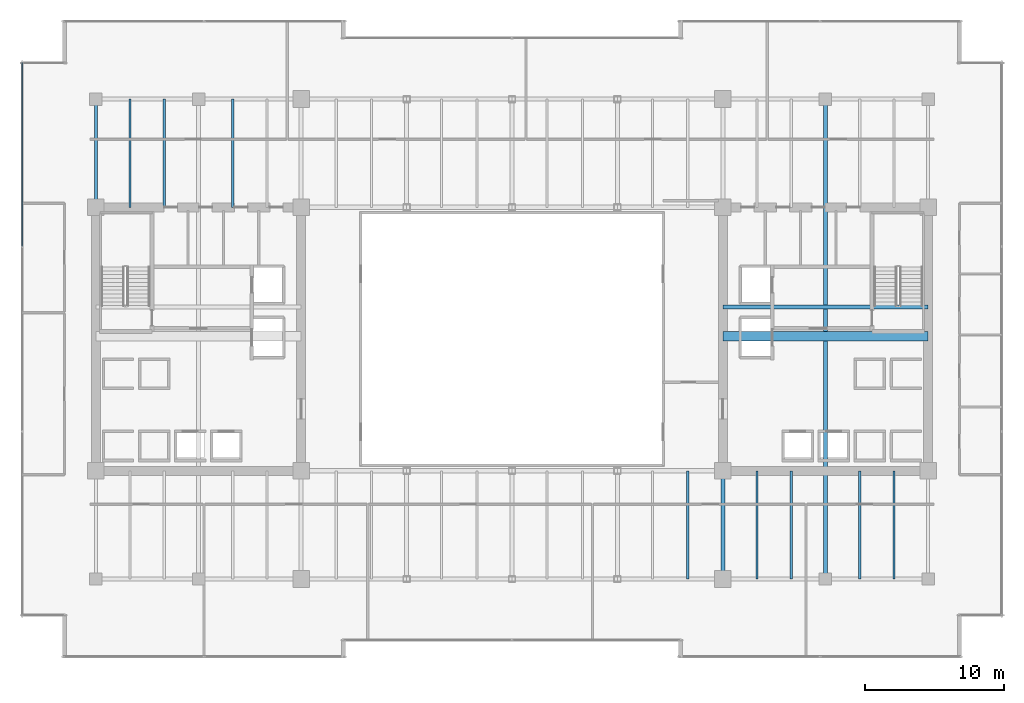
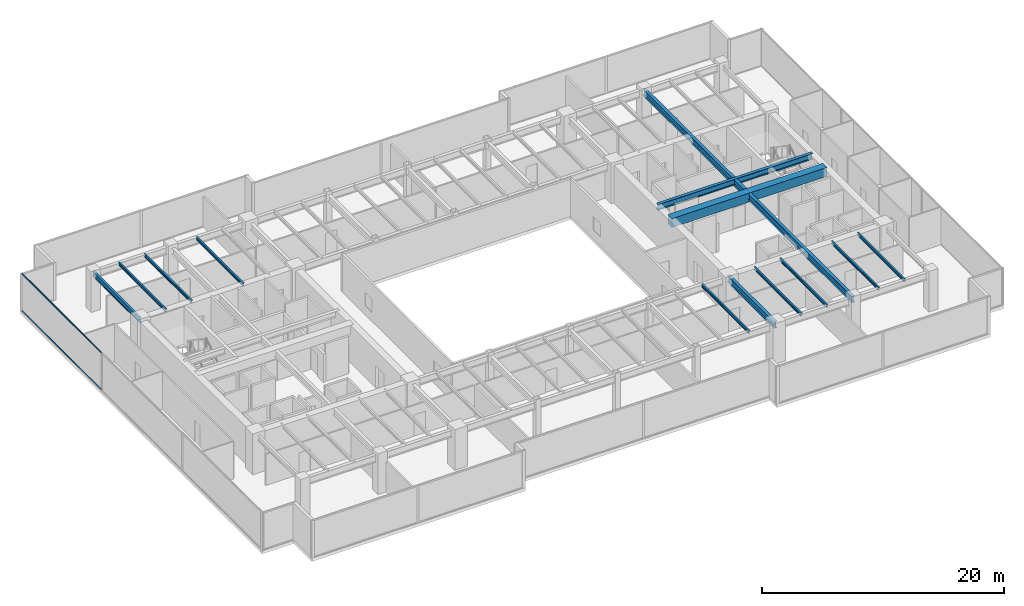
# One storey, part 13 of 30: 13 beams, 2 members, 1 element without a shape of its own.
"""IFC4 building model written with IfcOpenShell, lengths in metres."""

from ifc_helpers import new_model, si_unit, direction, frame, origin, origin_2d, place, context, subcontext, project, spatial, rectangle, hollow_rectangle, i_section, extrude, source, transform, mapped, material, layer, layer_set, material_profile, profile_set, type_object, type_shapes, element, aggregate, save


model = new_model("IFC4")

# Units and contexts
model_context = context("Model", 3, precision=1e-05, world=origin(), true_north=direction((0.0, 1.0)))
body_context = subcontext(model_context, "Body", "Model", "MODEL_VIEW")
ifc_project = project(units=[si_unit("LENGTHUNIT", "METRE"), si_unit("AREAUNIT", "SQUARE_METRE"), si_unit("VOLUMEUNIT", "CUBIC_METRE"), si_unit("PLANEANGLEUNIT", "RADIAN"), si_unit("MASSUNIT", "GRAM", prefix="KILO")], contexts=[model_context])

# Site, building, storey
site_placement = place(None, origin())
site = spatial("IfcSite", under=ifc_project, at=site_placement, CompositionType="ELEMENT")
building_placement = place(site_placement, origin())
building = spatial("IfcBuilding", under=site, at=building_placement, Name="Haelvirn Gate Laboratories", CompositionType="ELEMENT")
storey_placement = place(building_placement, frame((0.0, 0.0, 105.10009765625)))
storey = spatial("IfcBuildingStorey", under=building, at=storey_placement, Name="L25", CompositionType="ELEMENT", Elevation=105.10009765625)

# Beams
ifc_material_1 = material(Name="Concrete C60/75", Category="concrete")
ifc_material_profile_1 = material_profile(ifc_material_1, rectangle(XDim=0.699951171875, YDim=0.89990234375, at=origin_2d()), Name="RCB-700x900")
ifc_profile_set_1 = profile_set([ifc_material_profile_1], Name="Concrete C60/75")
beam_type_1 = type_object("IfcBeamType", Name="BM-RCB-900", PredefinedType="LINTEL", material=ifc_profile_set_1)
shared_shape_1 = source(origin(), body_context, "Body", "SweptSolid", [
    extrude(rectangle(XDim=0.699951171875, YDim=0.89990234375, at=origin_2d()), origin(), (0.0, 0.0, 1.0), 14.7998046875),
])
type_shapes(beam_type_1, [shared_shape_1])
beam_1_placement = place(storey_placement, frame((52.60009765625, 24.5, 3.33984375), z_axis=(1.0, 0.0, 0.0), x_axis=(0.0, 1.0, 0.0)))
element("IfcBeam", 1, at=beam_1_placement, inside=storey, type_object=beam_type_1, Name="L25 East Core Coupling Beam", PredefinedType="LINTEL", context=body_context, shape_type="MappedRepresentation", body=[
    mapped(shared_shape_1, transform((0.0, 0.0, 0.0), scale=1.0)),
])
ifc_material_2 = material(Name="Steel SM355", Category="steel")
ifc_material_profile_2 = material_profile(ifc_material_2, i_section(OverallWidth=0.300048828125, OverallDepth=0.587890625, WebThickness=0.011962890625, FlangeThickness=0.02001953125, at=origin_2d()), Name="H-588x300x12x20")
ifc_profile_set_2 = profile_set([ifc_material_profile_2], Name="Steel SM355")
beam_type_2 = type_object("IfcBeamType", Name="BM-G-588", PredefinedType="BEAM", material=ifc_profile_set_2)
shared_shape_2 = source(origin(), body_context, "Body", "SweptSolid", [
    extrude(i_section(OverallWidth=0.300048828125, OverallDepth=0.587890625, WebThickness=0.011962890625, FlangeThickness=0.02001953125, at=origin_2d()), origin(), (0.0, 0.0, 1.0), 14.7998046875),
])
type_shapes(beam_type_2, [shared_shape_2])
beam_2_placement = place(storey_placement, frame((52.60009765625, 26.6201171875, 3.495849609375), z_axis=(1.0, 0.0, 0.0), x_axis=(0.0, 1.0, 0.0)))
element("IfcBeam", 2, at=beam_2_placement, inside=storey, type_object=beam_type_2, Name="L25 Stair ST2 Landing Header", PredefinedType="BEAM", context=body_context, shape_type="MappedRepresentation", body=[
    mapped(shared_shape_2, transform((0.0, 0.0, 0.0), scale=1.0)),
])
ifc_material_profile_3 = material_profile(ifc_material_2, i_section(OverallWidth=0.199951171875, OverallDepth=0.5, WebThickness=0.010009765625, FlangeThickness=0.01611328125, at=origin_2d()), Name="H-500x200x10x16")
ifc_profile_set_3 = profile_set([ifc_material_profile_3], Name="Steel SM355")
beam_type_3 = type_object("IfcBeamType", Name="BM-SP-500", PredefinedType="SPANDREL", material=ifc_profile_set_3)
shared_shape_3 = source(origin(), body_context, "Body", "SweptSolid", [
    extrude(i_section(OverallWidth=0.199951171875, OverallDepth=0.5, WebThickness=0.010009765625, FlangeThickness=0.01611328125, at=origin_2d()), origin(), (0.0, 0.0, 1.0), 7.800048828125),
])
type_shapes(beam_type_3, [shared_shape_3])
beam_3_placement = place(storey_placement, frame((7.39990234375, 33.800048828125, 3.539794921875), z_axis=(0.0, 1.0, 0.0), x_axis=(-1.0, 0.0, 0.0)))
element("IfcBeam", 3, at=beam_3_placement, inside=storey, type_object=beam_type_3, Name="L25 Perimeter Spandrel X7.4 (33.8-41.6)", PredefinedType="SPANDREL", context=body_context, shape_type="MappedRepresentation", body=[
    mapped(shared_shape_3, transform((0.0, 0.0, 0.0), scale=1.0)),
])
ifc_material_profile_4 = material_profile(ifc_material_2, i_section(OverallWidth=0.300048828125, OverallDepth=0.64990234375, WebThickness=0.012939453125, FlangeThickness=0.02197265625, at=origin_2d()), Name="H-650x300x13x22")
ifc_profile_set_4 = profile_set([ifc_material_profile_4], Name="Steel SM355")
beam_type_4 = type_object("IfcBeamType", Name="BM-G-650", PredefinedType="BEAM", material=ifc_profile_set_4)
shared_shape_4 = source(origin(), body_context, "Body", "SweptSolid", [
    extrude(i_section(OverallWidth=0.300048828125, OverallDepth=0.64990234375, WebThickness=0.012939453125, FlangeThickness=0.02197265625, at=origin_2d()), origin(), (0.0, 0.0, 1.0), 34.60009765625),
])
beam_4_placement = place(storey_placement, frame((60.0, 7.0, 3.46484375), z_axis=(0.0, 1.0, 0.0), x_axis=(-1.0, 0.0, 0.0)))
element("IfcBeam", 4, at=beam_4_placement, inside=storey, type_object=beam_type_4, Name="L25 Frame Girder X60.0 (7.0-41.6)", PredefinedType="BEAM", context=body_context, shape_type="MappedRepresentation", body=[
    mapped(shared_shape_4, transform((0.0, 0.0, 0.0), scale=1.0)),
])
shared_shape_5 = source(origin(), body_context, "Body", "SweptSolid", [
    extrude(i_section(OverallWidth=0.300048828125, OverallDepth=0.64990234375, WebThickness=0.012939453125, FlangeThickness=0.02197265625, at=origin_2d()), origin(), (0.0, 0.0, 1.0), 7.800048828125),
])
type_shapes(beam_type_4, [shared_shape_4, shared_shape_5])
beam_5_placement = place(storey_placement, frame((52.60009765625, 7.0, 3.46484375), z_axis=(0.0, 1.0, 0.0), x_axis=(-1.0, 0.0, 0.0)))
element("IfcBeam", 5, at=beam_5_placement, inside=storey, type_object=beam_type_4, Name="L25 Frame Girder X52.6 (7.0-14.8)", PredefinedType="BEAM", context=body_context, shape_type="MappedRepresentation", body=[
    mapped(shared_shape_5, transform((0.0, 0.0, 0.0), scale=1.0)),
])
ifc_material_profile_5 = material_profile(ifc_material_2, i_section(OverallWidth=0.14990234375, OverallDepth=0.300048828125, WebThickness=0.006591796875, FlangeThickness=0.009033203125, at=origin_2d()), Name="H-300x150x6.5x9")
ifc_profile_set_5 = profile_set([ifc_material_profile_5], Name="Steel SM355")
beam_type_5 = type_object("IfcBeamType", Name="BM-J-300", PredefinedType="JOIST", material=ifc_profile_set_5)
shared_shape_6 = source(origin(), body_context, "Body", "SweptSolid", [
    extrude(i_section(OverallWidth=0.14990234375, OverallDepth=0.300048828125, WebThickness=0.006591796875, FlangeThickness=0.009033203125, at=origin_2d()), origin(), (0.0, 0.0, 1.0), 7.800048828125),
])
type_shapes(beam_type_5, [shared_shape_6])
for number, where, z_axis, x_axis, name in (
    (6, (9.8701171875, 33.800048828125, 3.639892578125), (0.0, 1.0, 0.0), (-1.0, 0.0, 0.0), "L25 Composite Lab Joist North X9.87"),
    (7, (12.330078125, 33.800048828125, 3.639892578125), (0.0, 1.0, 0.0), (-1.0, 0.0, 0.0), "L25 Composite Lab Joist North X12.33"),
    (8, (17.27001953125, 33.800048828125, 3.639892578125), (0.0, 1.0, 0.0), (-1.0, 0.0, 0.0), "L25 Composite Lab Joist North X17.27"),
    (9, (50.070068359375, 7.0, 3.639892578125), (0.0, 1.0, 0.0), (-1.0, 0.0, 0.0), "L25 Composite Lab Joist South X50.07"),
    (10, (55.070068359375, 7.0, 3.639892578125), (0.0, 1.0, 0.0), (-1.0, 0.0, 0.0), "L25 Composite Lab Joist South X55.07"),
    (11, (57.530029296875, 7.0, 3.639892578125), (0.0, 1.0, 0.0), (-1.0, 0.0, 0.0), "L25 Composite Lab Joist South X57.53"),
    (12, (62.469970703125, 7.0, 3.639892578125), (0.0, 1.0, 0.0), (-1.0, 0.0, 0.0), "L25 Composite Lab Joist South X62.47"),
    (13, (64.929931640625, 7.0, 3.639892578125), (0.0, 1.0, 0.0), (-1.0, 0.0, 0.0), "L25 Composite Lab Joist South X64.93"),
):
    element("IfcBeam", number, at=place(storey_placement, frame(where, z_axis=z_axis, x_axis=x_axis)), inside=storey, type_object=beam_type_5, Name=name, PredefinedType="JOIST", context=body_context, shape_type="MappedRepresentation", body=[
        mapped(shared_shape_6, transform((0.0, 0.0, 0.0), scale=1.0)),
    ])

# Curtain wall, members
ifc_material_3 = material(Name="Anodised bronze unitised aluminium & triple low-E glass", Category="aluminium")
ifc_layer = layer(ifc_material_3, 0.179931640625, Name="CW-SYS-3")
ifc_layer_set = layer_set([ifc_layer], Name="Anodised bronze unitised aluminium & triple low-E glass")
curtain_wall_type = type_object("IfcCurtainWallType", Name="CW-SYS-3", PredefinedType="NOTDEFINED", material=ifc_layer_set)
curtain_wall_placement = place(storey_placement, origin())
curtain_wall = element("IfcCurtainWall", 14, at=curtain_wall_placement, inside=storey, type_object=curtain_wall_type, Name="L25 Unitised Curtain Wall CW-L25-P0-E17", PredefinedType="NOTDEFINED")
ifc_material_4 = material(Name="Extruded aluminium 6063-T6 (anodised bronze)", Category="aluminium")
ifc_material_profile_6 = material_profile(ifc_material_4, hollow_rectangle(XDim=0.06494140625, YDim=0.139892578125, WallThickness=0.00390625, at=origin_2d()), Name="CWT-140x65x4")
ifc_profile_set_6 = profile_set([ifc_material_profile_6], Name="Extruded aluminium 6063-T6 (anodised bronze)")
member_type = type_object("IfcMemberType", Name="CWT-T140", PredefinedType="USERDEFINED", material=ifc_profile_set_6)
shared_shape_7 = source(origin(), body_context, "Body", "SweptSolid", [
    extrude(hollow_rectangle(XDim=0.06494140625, YDim=0.139892578125, WallThickness=0.00390625, at=origin_2d()), origin(), (0.0, 0.0, 1.0), 13.220947265625),
])
type_shapes(member_type, [shared_shape_7])
member_1_placement = place(storey_placement, frame((2.10009765625, 44.22509765625, 0.032470703125), z_axis=(0.0, -1.0, 0.0), x_axis=(1.0, 0.0, 0.0)))
member_1 = element("IfcMember", 15, at=member_1_placement, type_object=member_type, Name="CW3 transom 1.1", ObjectType="TRANSOM", PredefinedType="USERDEFINED", context=body_context, shape_type="MappedRepresentation", body=[
    mapped(shared_shape_7, transform((0.0, 0.0, 0.0), scale=1.0)),
])
member_2_placement = place(storey_placement, frame((2.10009765625, 44.22509765625, 3.75732421875), z_axis=(0.0, -1.0, 0.0), x_axis=(1.0, 0.0, 0.0)))
member_2 = element("IfcMember", 16, at=member_2_placement, type_object=member_type, Name="CW3 transom 1.2", ObjectType="TRANSOM", PredefinedType="USERDEFINED", context=body_context, shape_type="MappedRepresentation", body=[
    mapped(shared_shape_7, transform((0.0, 0.0, 0.0), scale=1.0)),
])
aggregate(curtain_wall, [member_1, member_2])

save(model, "model.ifc")
